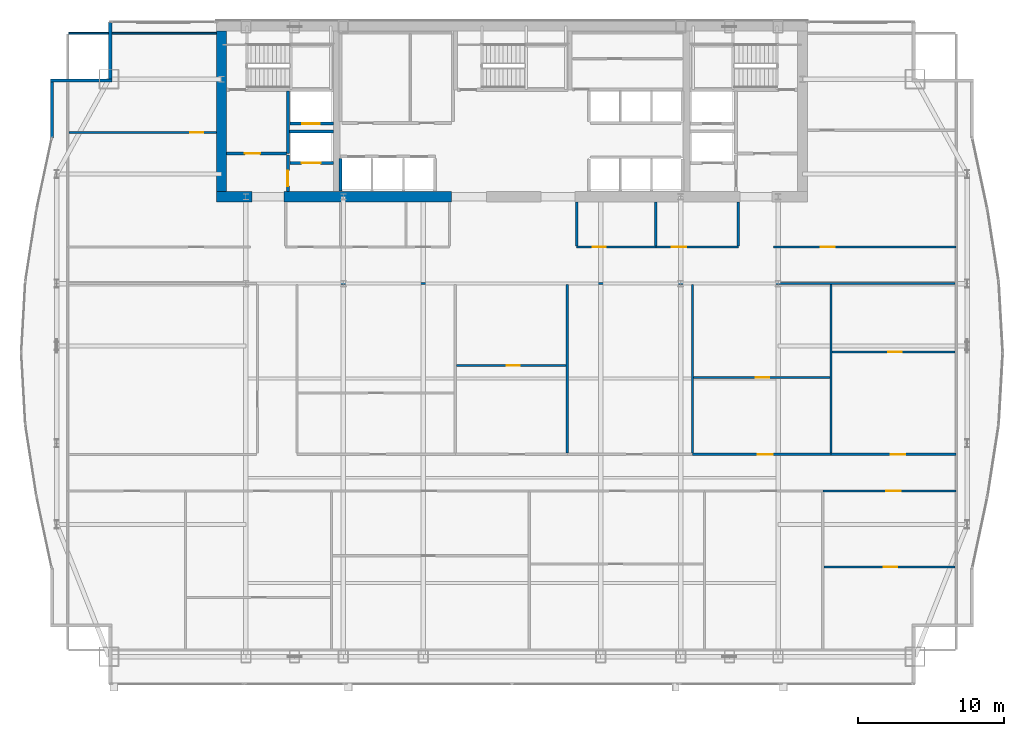
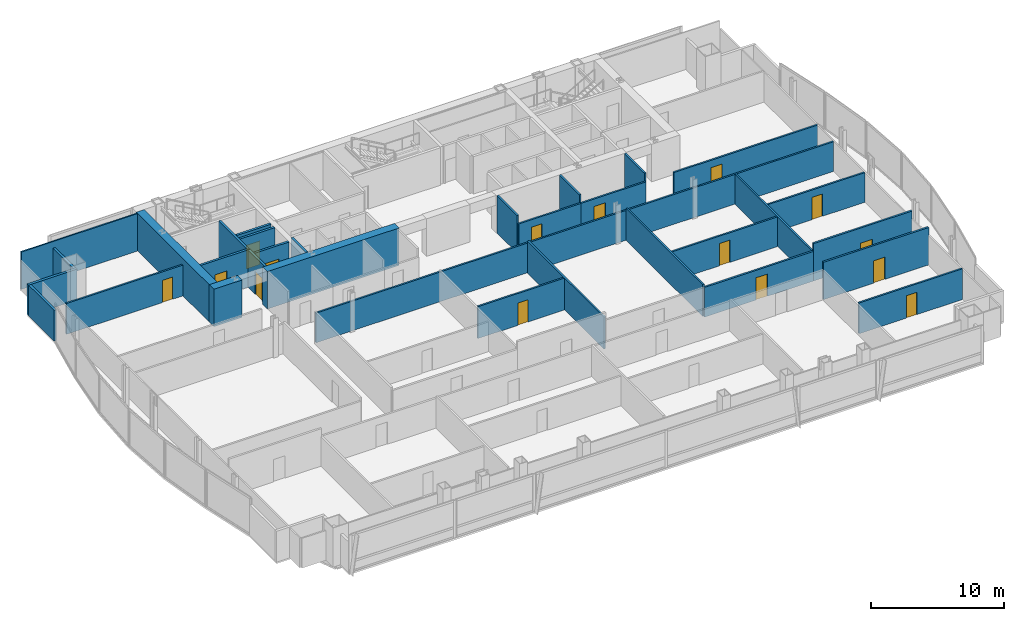
# One storey, part 25 of 29: 32 walls, 15 doors, 15 openings.
"""IFC4 building model written with IfcOpenShell, lengths in metres."""

import ifcopenshell
import ifcopenshell.guid

model = None  # the IFC model being written
_history = None  # IfcOwnerHistory: only IFC2X3 demands one
_inside = {}  # id of a spatial element -> (the spatial element, [elements in it])
_under = {}  # id of a project, library or spatial element -> (it, [spatial elements below it])
_declared = {}  # id of a project -> (the project, [libraries it declares])
_typed = {}  # id of a type object -> (the type object, [elements of that type])
_made_of = {}  # id of a material, layer set ... -> (it, [elements and type objects made of it])


def new_model(schema):
    """Start an empty IFC model of exactly this schema.

    Asked for "IFC4X3", IfcOpenShell would pick the latest addendum, in which some entities
    have other attributes; the version numbers below select the first issue.
    IFC2X3 requires an IfcOwnerHistory on every rooted entity: one is made here for all.
    """
    global model, _history
    if schema == "IFC4X3":
        model = ifcopenshell.file(schema_version=(4, 3, 0, 0))
    else:
        model = ifcopenshell.file(schema=schema)
    _inside.clear()
    _under.clear()
    _declared.clear()
    _typed.clear()
    _made_of.clear()
    _history = None
    if model.schema == "IFC2X3":
        org = make("IfcOrganization", Name="unknown")
        user = make(
            "IfcPersonAndOrganization",
            ThePerson=make("IfcPerson", FamilyName="unknown"),
            TheOrganization=org,
        )
        app = make(
            "IfcApplication",
            ApplicationDeveloper=org,
            Version="unknown",
            ApplicationFullName="unknown",
            ApplicationIdentifier="unknown",
        )
        _history = make(
            "IfcOwnerHistory",
            OwningUser=user,
            OwningApplication=app,
            ChangeAction="ADDED",
            CreationDate=0,
        )
    return model


def make(cls, **values):
    """One entity of the class cls with the attributes given. An attribute that is None is left unset."""
    return model.create_entity(
        cls, **{name: value for name, value in values.items() if value is not None}
    )


def rooted(cls, **values):
    """An entity with a GlobalId (a new one), such as an element, a storey or a relation."""
    return make(cls, GlobalId=ifcopenshell.guid.new(), OwnerHistory=_history, **values)


def si_unit(unit_type, name, prefix=None):
    """IfcSIUnit, for example si_unit("LENGTHUNIT", "METRE", prefix="MILLI")."""
    return make("IfcSIUnit", UnitType=unit_type, Prefix=prefix, Name=name)


def assignment(units):
    """IfcUnitAssignment: the units of a project."""
    return None if units is None else make("IfcUnitAssignment", Units=units)


def point(xyz):
    """IfcCartesianPoint."""
    return None if xyz is None else make("IfcCartesianPoint", Coordinates=xyz)


def direction(xyz):
    """IfcDirection."""
    return None if xyz is None else make("IfcDirection", DirectionRatios=xyz)


def frame(location, z_axis=None, x_axis=None):
    """IfcAxis2Placement3D, a coordinate frame: its origin and axes. An axis left out is left unset."""
    return make(
        "IfcAxis2Placement3D",
        Location=point(location),
        Axis=direction(z_axis),
        RefDirection=direction(x_axis),
    )


def frame_2d(location, x_axis=None):
    """IfcAxis2Placement2D, a coordinate frame in the plane: its origin and x axis."""
    return make(
        "IfcAxis2Placement2D", Location=point(location), RefDirection=direction(x_axis)
    )


def origin():
    """The frame at (0, 0, 0) with its axes left unset."""
    return frame((0.0, 0.0, 0.0))


def place(relative_to, where):
    """IfcLocalPlacement: puts the frame where relative to a parent placement (None: the world)."""
    return make(
        "IfcLocalPlacement", PlacementRelTo=relative_to, RelativePlacement=where
    )


def context(
    kind, dimensions, precision=None, world=None, true_north=None, identifier=None
):
    """IfcGeometricRepresentationContext, for example the 3D "Model" context."""
    return make(
        "IfcGeometricRepresentationContext",
        ContextIdentifier=identifier,
        ContextType=kind,
        CoordinateSpaceDimension=dimensions,
        Precision=precision,
        WorldCoordinateSystem=world,
        TrueNorth=true_north,
    )


def subcontext(parent, identifier, kind, view, scale=None):
    """IfcGeometricRepresentationSubContext, for example "Body" below "Model"."""
    return make(
        "IfcGeometricRepresentationSubContext",
        ContextIdentifier=identifier,
        ContextType=kind,
        ParentContext=parent,
        TargetScale=scale,
        TargetView=view,
    )


def project(units=None, contexts=None):
    """IfcProject with its units and contexts."""
    return rooted(
        "IfcProject",
        Name="project",
        RepresentationContexts=contexts,
        UnitsInContext=assignment(units),
    )


def spatial(cls, under=None, at=None, **own):
    """A site, building, storey or space (cls), placed at a placement, below another one or the project."""
    s = rooted(cls, ObjectPlacement=at, **own)
    if under is not None:
        _under.setdefault(under.id(), (under, []))[1].append(s)
    return s


def profile(cls, at=None, kind="AREA", **sizes):
    """A parametric profile (cls). Its sizes go by their IFC names, for example OverallWidth=200.0."""
    return make(cls, ProfileType=kind, Position=at, **sizes)


def rectangle(**sizes):
    """IfcRectangleProfileDef."""
    return profile("IfcRectangleProfileDef", **sizes)


def extrude(swept, where, along, depth):
    """IfcExtrudedAreaSolid: the profile swept, set in the frame where, extruded along a direction by depth."""
    return make(
        "IfcExtrudedAreaSolid",
        SweptArea=swept,
        Position=where,
        ExtrudedDirection=direction(along),
        Depth=depth,
    )


def shape(context_of_items, identifier, shape_type, items):
    """IfcShapeRepresentation: the items that make up one representation, for example the "Body"."""
    return make(
        "IfcShapeRepresentation",
        ContextOfItems=context_of_items,
        RepresentationIdentifier=identifier,
        RepresentationType=shape_type,
        Items=items,
    )


def material(Name=None, Category=None):
    """IfcMaterial."""
    return make("IfcMaterial", Name=Name, Category=Category)


def layer(
    of_material, thickness, ventilated=None, Name=None, Category=None, Priority=None
):
    """IfcMaterialLayer: one layer of a wall or slab, of a material (None: an air gap)."""
    return make(
        "IfcMaterialLayer",
        Material=of_material,
        LayerThickness=thickness,
        IsVentilated=ventilated,
        Name=Name,
        Category=Category,
        Priority=Priority,
    )


def layer_set(layers, Name=None):
    """IfcMaterialLayerSet."""
    return make("IfcMaterialLayerSet", MaterialLayers=layers, LayerSetName=Name)


def made_of(thing, what):
    """Note that an element or type object is made of a material, layer set ...; save() writes the relation."""
    if what is not None:
        _made_of.setdefault(what.id(), (what, []))[1].append(thing)
    return thing


def type_object(cls, material=None, **own):
    """A type object (cls), such as IfcWallType, which elements share."""
    return made_of(rooted(cls, **own), material)


def element(
    cls,
    number,
    at=None,
    inside=None,
    cuts=None,
    type_object=None,
    material=None,
    context=None,
    identifier="Body",
    shape_type=None,
    held_by="IfcProductDefinitionShape",
    body=None,
    shapes=None,
    **own,
):
    """One element of the class cls, such as IfcWall. Its Tag is "e" and its number.

    at: its placement. inside: the storey or other place that contains it. cuts: it is an
    opening in that element (IfcRelVoidsElement). A single representation is given by context,
    identifier, shape_type and body (its items); several are given by shapes. held_by: the class
    of the entity that holds the representations. save() writes the other relations.
    """
    e = rooted(cls, Tag="e%d" % number, ObjectPlacement=at, **own)
    if body is not None:
        shapes = [shape(context, identifier, shape_type, body)]
    if shapes is not None:
        e.Representation = make(held_by, Representations=shapes)
    if inside is not None:
        _inside.setdefault(inside.id(), (inside, []))[1].append(e)
    if cuts is not None:
        rooted(
            "IfcRelVoidsElement", RelatingBuildingElement=cuts, RelatedOpeningElement=e
        )
    if type_object is not None:
        _typed.setdefault(type_object.id(), (type_object, []))[1].append(e)
    return made_of(e, material)


def fill(opening, filler):
    """IfcRelFillsElement: the door or window that sits in an opening."""
    return rooted(
        "IfcRelFillsElement",
        RelatingOpeningElement=opening,
        RelatedBuildingElement=filler,
    )


def aggregate(whole, parts):
    """IfcRelAggregates: a whole, such as a stair, and the parts it consists of."""
    return rooted("IfcRelAggregates", RelatingObject=whole, RelatedObjects=parts)


def save(model, path):
    """Write the relations noted so far, then the file.

    IfcRelAggregates (storeys below a building ...), IfcRelContainedInSpatialStructure (elements
    in a storey), IfcRelDefinesByType, IfcRelAssociatesMaterial and IfcRelDeclares: one each for
    every whole, place, type object, material and project.
    """
    for whole, parts in _under.values():
        aggregate(whole, parts)
    for where, things in _inside.values():
        rooted(
            "IfcRelContainedInSpatialStructure",
            RelatedElements=things,
            RelatingStructure=where,
        )
    for kind, things in _typed.values():
        rooted("IfcRelDefinesByType", RelatedObjects=things, RelatingType=kind)
    for what, things in _made_of.values():
        rooted("IfcRelAssociatesMaterial", RelatedObjects=things, RelatingMaterial=what)
    for by, libraries in _declared.values():
        rooted("IfcRelDeclares", RelatingContext=by, RelatedDefinitions=libraries)
    model.write(path)


model = new_model("IFC4")

# Units and contexts
model_context = context("Model", 3, precision=1e-05, world=origin(), true_north=direction((0.0, 1.0)))
body_context = subcontext(model_context, "Body", "Model", "MODEL_VIEW")
ifc_project = project(units=[si_unit("LENGTHUNIT", "METRE"), si_unit("AREAUNIT", "SQUARE_METRE"), si_unit("VOLUMEUNIT", "CUBIC_METRE"), si_unit("PLANEANGLEUNIT", "RADIAN"), si_unit("MASSUNIT", "GRAM", prefix="KILO")], contexts=[model_context])

# Site, building, storey
site_placement = place(None, origin())
site = spatial("IfcSite", under=ifc_project, at=site_placement, CompositionType="ELEMENT")
building_placement = place(site_placement, origin())
building = spatial("IfcBuilding", under=site, at=building_placement, Name="Khoronbel Lancet Exchange", CompositionType="ELEMENT")
storey_placement = place(building_placement, frame((0.0, 0.0, 165.0)))
storey = spatial("IfcBuildingStorey", under=building, at=storey_placement, Name="L41", CompositionType="ELEMENT", Elevation=165.0)

# Walls
ifc_material_1 = material(Name="Concrete C80/95", Category="concrete")
ifc_layer_1 = layer(ifc_material_1, 0.699951171875, Name="Concrete C80/95")
ifc_layer_set_1 = layer_set([ifc_layer_1], Name="Concrete C80/95")
wall_type_1 = type_object("IfcWallType", Name="WL-CW2", PredefinedType="SHEAR", material=ifc_layer_set_1)
wall_1_placement = place(storey_placement, frame((16.550048828125, 42.0, 0.0), z_axis=(0.0, 0.0, 1.0), x_axis=(0.0, 1.0, 0.0)))
element("IfcWall", 1, at=wall_1_placement, inside=storey, type_object=wall_type_1, Name="Level L41 rear core west shear wall", PredefinedType="SHEAR", context=body_context, shape_type="SweptSolid", body=[
    extrude(rectangle(XDim=11.0, YDim=0.699951171875, at=frame_2d((5.5, 0.0))), origin(), (0.0, 0.0, 1.0), 3.43994140625),
])
wall_2_placement = place(storey_placement, frame((18.64990234375, 41.64990234375, 0.0), z_axis=(0.0, 0.0, 1.0), x_axis=(-1.0, 0.0, 0.0)))
element("IfcWall", 2, at=wall_2_placement, inside=storey, type_object=wall_type_1, Name="Level L41 rear core south shear wall pier P1", PredefinedType="SHEAR", context=body_context, shape_type="SweptSolid", body=[
    extrude(rectangle(XDim=2.449951171875, YDim=0.699951171875, at=frame_2d((1.22509765625, 0.0))), origin(), (0.0, 0.0, 1.0), 3.43994140625),
])
wall_3_placement = place(storey_placement, frame((32.300048828125, 41.64990234375, 0.0), z_axis=(0.0, 0.0, 1.0), x_axis=(-1.0, 0.0, 0.0)))
element("IfcWall", 3, at=wall_3_placement, inside=storey, type_object=wall_type_1, Name="Level L41 rear core south shear wall pier P2", PredefinedType="SHEAR", context=body_context, shape_type="SweptSolid", body=[
    extrude(rectangle(XDim=11.449951171875, YDim=0.699951171875, at=frame_2d((5.72509765625, 0.0))), origin(), (0.0, 0.0, 1.0), 3.43994140625),
])
ifc_material_2 = material(Name="Precast concrete C40/50", Category="concrete")
ifc_layer_2 = layer(ifc_material_2, 0.25, Name="Precast concrete C40/50")
ifc_layer_set_2 = layer_set([ifc_layer_2], Name="Precast concrete C40/50")
wall_type_2 = type_object("IfcWallType", Name="WL-EXT250", PredefinedType="SOLIDWALL", material=ifc_layer_set_2)
wall_4_placement = place(storey_placement, frame((4.93994140625, 45.67041015625, 0.0), z_axis=(0.0, 0.0, 1.0), x_axis=(0.0, 1.0, 0.0)))
element("IfcWall", 4, at=wall_4_placement, inside=storey, type_object=wall_type_2, Name="Level L41 notched-corner limestone pier 10", PredefinedType="SOLIDWALL", context=body_context, shape_type="SweptSolid", body=[
    extrude(rectangle(XDim=3.82958984375, YDim=0.219970703125, at=frame_2d((1.914794921875, 0.0))), origin(), (0.0, 0.0, 1.0), 2.830078125),
])
wall_5_placement = place(storey_placement, frame((4.830078125, 49.610107421875, 0.0), z_axis=(0.0, 0.0, 1.0), x_axis=(1.0, 0.0, 0.0)))
element("IfcWall", 5, at=wall_5_placement, inside=storey, type_object=wall_type_2, Name="Level L41 notched-corner limestone pier 11", PredefinedType="SOLIDWALL", context=body_context, shape_type="SweptSolid", body=[
    extrude(rectangle(XDim=4.219970703125, YDim=0.219970703125, at=frame_2d((2.10986328125, 0.0))), origin(), (0.0, 0.0, 1.0), 2.830078125),
])
wall_6_placement = place(storey_placement, frame((8.93994140625, 49.719970703125, 0.0), z_axis=(0.0, 0.0, 1.0), x_axis=(0.0, 1.0, 0.0)))
element("IfcWall", 6, at=wall_6_placement, inside=storey, type_object=wall_type_2, Name="Level L41 notched-corner limestone pier 12", PredefinedType="SOLIDWALL", context=body_context, shape_type="SweptSolid", body=[
    extrude(rectangle(XDim=3.909912109375, YDim=0.219970703125, at=frame_2d((1.955078125, 0.0))), origin(), (0.0, 0.0, 1.0), 2.830078125),
])
ifc_material_3 = material(Name="Acoustic Metal-Stud & Mineral-Wool Gypsum Partition 120 mm", Category="gypsum")
ifc_layer_3 = layer(ifc_material_3, 0.1201171875, Name="Acoustic Metal-Stud & Mineral-Wool Gypsum Partition 120 mm")
ifc_layer_set_3 = layer_set([ifc_layer_3], Name="Acoustic Metal-Stud & Mineral-Wool Gypsum Partition 120 mm")
wall_type_3 = type_object("IfcWallType", Name="WL-PRT120", PredefinedType="PARTITIONING", material=ifc_layer_set_3)
for number, where, z_axis, x_axis, name in (
    (7, (40.8798828125, 38.280029296875, 0.0), (0.0, 0.0, 1.0), (0.0, 1.0, 0.0), "Level L41 interior partition PW-NP-0"),
    (8, (46.300048828125, 38.280029296875, 0.0), (0.0, 0.0, 1.0), (0.0, 1.0, 0.0), "Level L41 interior partition PW-NP-M"),
    (9, (51.949951171875, 38.280029296875, 0.0), (0.0, 0.0, 1.0), (0.0, 1.0, 0.0), "Level L41 interior partition PW-NP-1"),
):
    element("IfcWall", number, at=place(storey_placement, frame(where, z_axis=z_axis, x_axis=x_axis)), inside=storey, type_object=wall_type_3, Name=name, PredefinedType="PARTITIONING", context=body_context, shape_type="SweptSolid", body=[
        extrude(rectangle(XDim=3.02001953125, YDim=0.14990234375, at=frame_2d((1.510009765625, 0.0))), origin(), (0.0, 0.0, 1.0), 3.43994140625),
    ])

# Wall, opening, door
wall_7_placement = place(storey_placement, frame((6.094970703125, 46.050048828125, 0.0), z_axis=(0.0, 0.0, 1.0), x_axis=(1.0, 0.0, 0.0)))
wall_7 = element("IfcWall", 10, at=wall_7_placement, inside=storey, type_object=wall_type_3, Name="Level L41 interior partition PW-NW-H", PredefinedType="PARTITIONING", context=body_context, shape_type="SweptSolid", body=[
    extrude(rectangle(XDim=10.10498046875, YDim=0.14990234375, at=frame_2d((5.052490234375, 0.0))), origin(), (0.0, 0.0, 1.0), 2.830078125),
])
opening_1_placement = place(wall_7_placement, frame((8.320068359375, 0.0, 0.0)))
opening_1 = element("IfcOpeningElement", 11, at=opening_1_placement, cuts=wall_7, Name="Opening D5", PredefinedType="OPENING", context=body_context, shape_type="SweptSolid", body=[
    extrude(rectangle(XDim=0.89990234375, YDim=2.050048828125, at=frame_2d((0.449951171875, 1.02490234375))), frame((0.0, 0.0849609375, 0.0), z_axis=(0.0, -1.0, 0.0), x_axis=(1.0, 0.0, 0.0)), (0.0, 0.0, 1.0), 0.169921875),
])
ifc_material_4 = material(Name="Acoustic Timber Pantry & Support Door", Category="wood")
door_type_1 = type_object("IfcDoorType", Name="DR-D5", OperationType="NOTDEFINED", PredefinedType="DOOR", material=ifc_material_4)
door_1_placement = place(opening_1_placement, origin())
door_1 = element("IfcDoor", 12, at=door_1_placement, inside=storey, type_object=door_type_1, Name="NW north room door L41-1", OperationType="SINGLE_SWING_RIGHT", OverallHeight=2.050048828125, OverallWidth=0.89990234375, PredefinedType="DOOR", context=body_context, shape_type="SweptSolid", body=[
    extrude(rectangle(XDim=0.89990234375, YDim=2.050048828125, at=frame_2d((0.449951171875, 1.02490234375))), frame((0.0, 0.02490234375, 0.0), z_axis=(0.0, -1.0, 0.0), x_axis=(1.0, 0.0, 0.0)), (0.0, 0.0, 1.0), 0.050048828125),
])
fill(opening_1, door_1)

wall_8_placement = place(storey_placement, frame((57.81201171875, 16.287841796875, 0.0), z_axis=(0.0, 0.0, 1.0), x_axis=(1.0, 0.0, 0.0)))
wall_8 = element("IfcWall", 13, at=wall_8_placement, inside=storey, type_object=wall_type_3, Name="Level L41 interior partition PW-Z2S-H6", PredefinedType="PARTITIONING", context=body_context, shape_type="SweptSolid", body=[
    extrude(rectangle(XDim=8.992919921875, YDim=0.14990234375, at=frame_2d((4.49658203125, 0.0))), origin(), (0.0, 0.0, 1.0), 2.830078125),
])
opening_2_placement = place(wall_8_placement, frame((4.112060546875, 0.0, 0.0)))
opening_2 = element("IfcOpeningElement", 14, at=opening_2_placement, cuts=wall_8, Name="Opening D5", PredefinedType="OPENING", context=body_context, shape_type="SweptSolid", body=[
    extrude(rectangle(XDim=0.89990234375, YDim=2.050048828125, at=frame_2d((0.449951171875, 1.02490234375))), frame((0.0, 0.0849609375, 0.0), z_axis=(0.0, -1.0, 0.0), x_axis=(1.0, 0.0, 0.0)), (0.0, 0.0, 1.0), 0.169921875),
])
door_2_placement = place(opening_2_placement, origin())
door_2 = element("IfcDoor", 15, at=door_2_placement, inside=storey, type_object=door_type_1, Name="Z2S inner door 6 L41-1", OperationType="SINGLE_SWING_LEFT", OverallHeight=2.050048828125, OverallWidth=0.89990234375, PredefinedType="DOOR", context=body_context, shape_type="SweptSolid", body=[
    extrude(rectangle(XDim=0.89990234375, YDim=2.050048828125, at=frame_2d((0.449951171875, 1.02490234375))), frame((0.0, 0.02490234375, 0.0), z_axis=(0.0, -1.0, 0.0), x_axis=(1.0, 0.0, 0.0)), (0.0, 0.0, 1.0), 0.050048828125),
])
fill(opening_2, door_2)

wall_9_placement = place(storey_placement, frame((32.6435546875, 30.083984375, 0.0), z_axis=(0.0, 0.0, 1.0), x_axis=(1.0, 0.0, 0.0)))
wall_9 = element("IfcWall", 16, at=wall_9_placement, inside=storey, type_object=wall_type_3, Name="Level L41 interior partition PW-Z2N-H2", PredefinedType="PARTITIONING", context=body_context, shape_type="SweptSolid", body=[
    extrude(rectangle(XDim=7.513916015625, YDim=0.14990234375, at=frame_2d((3.7568359375, 0.0))), origin(), (0.0, 0.0, 1.0), 2.929931640625),
])
opening_3_placement = place(wall_9_placement, frame((3.453125, 0.0, 0.0)))
opening_3 = element("IfcOpeningElement", 17, at=opening_3_placement, cuts=wall_9, Name="Opening D5", PredefinedType="OPENING", context=body_context, shape_type="SweptSolid", body=[
    extrude(rectangle(XDim=0.89990234375, YDim=2.050048828125, at=frame_2d((0.449951171875, 1.02490234375))), frame((0.0, 0.0849609375, 0.0), z_axis=(0.0, -1.0, 0.0), x_axis=(1.0, 0.0, 0.0)), (0.0, 0.0, 1.0), 0.169921875),
])
door_3_placement = place(opening_3_placement, origin())
door_3 = element("IfcDoor", 18, at=door_3_placement, inside=storey, type_object=door_type_1, Name="Z2N inner door 2 L41-1", OperationType="SINGLE_SWING_RIGHT", OverallHeight=2.050048828125, OverallWidth=0.89990234375, PredefinedType="DOOR", context=body_context, shape_type="SweptSolid", body=[
    extrude(rectangle(XDim=0.89990234375, YDim=2.050048828125, at=frame_2d((0.449951171875, 1.02490234375))), frame((0.0, 0.02490234375, 0.0), z_axis=(0.0, -1.0, 0.0), x_axis=(1.0, 0.0, 0.0)), (0.0, 0.0, 1.0), 0.050048828125),
])
fill(opening_3, door_3)

wall_10_placement = place(storey_placement, frame((48.89404296875, 29.264892578125, 0.0), z_axis=(0.0, 0.0, 1.0), x_axis=(1.0, 0.0, 0.0)))
wall_10 = element("IfcWall", 19, at=wall_10_placement, inside=storey, type_object=wall_type_3, Name="Level L41 interior partition PW-Z2N-H4", PredefinedType="PARTITIONING", context=body_context, shape_type="SweptSolid", body=[
    extrude(rectangle(XDim=9.3193359375, YDim=0.14990234375, at=frame_2d((4.65966796875, 0.0))), origin(), (0.0, 0.0, 1.0), 2.72998046875),
])
opening_4_placement = place(wall_10_placement, frame((4.265625, 0.0, 0.0)))
opening_4 = element("IfcOpeningElement", 20, at=opening_4_placement, cuts=wall_10, Name="Opening D5", PredefinedType="OPENING", context=body_context, shape_type="SweptSolid", body=[
    extrude(rectangle(XDim=0.89990234375, YDim=2.050048828125, at=frame_2d((0.449951171875, 1.02490234375))), frame((0.0, 0.0849609375, 0.0), z_axis=(0.0, -1.0, 0.0), x_axis=(1.0, 0.0, 0.0)), (0.0, 0.0, 1.0), 0.169921875),
])
door_4_placement = place(opening_4_placement, origin())
door_4 = element("IfcDoor", 21, at=door_4_placement, inside=storey, type_object=door_type_1, Name="Z2N inner door 4 L41-1", OperationType="SINGLE_SWING_LEFT", OverallHeight=2.050048828125, OverallWidth=0.89990234375, PredefinedType="DOOR", context=body_context, shape_type="SweptSolid", body=[
    extrude(rectangle(XDim=0.89990234375, YDim=2.050048828125, at=frame_2d((0.449951171875, 1.02490234375))), frame((0.0, 0.02490234375, 0.0), z_axis=(0.0, -1.0, 0.0), x_axis=(1.0, 0.0, 0.0)), (0.0, 0.0, 1.0), 0.050048828125),
])
fill(opening_4, door_4)

wall_11_placement = place(storey_placement, frame((58.373291015625, 31.02001953125, 0.0), z_axis=(0.0, 0.0, 1.0), x_axis=(1.0, 0.0, 0.0)))
wall_11 = element("IfcWall", 22, at=wall_11_placement, inside=storey, type_object=wall_type_3, Name="Level L41 interior partition PW-Z2N-H5", PredefinedType="PARTITIONING", context=body_context, shape_type="SweptSolid", body=[
    extrude(rectangle(XDim=8.431640625, YDim=0.14990234375, at=frame_2d((4.2158203125, 0.0))), origin(), (0.0, 0.0, 1.0), 2.72998046875),
])
opening_5_placement = place(wall_11_placement, frame((3.859619140625, 0.0, 0.0)))
opening_5 = element("IfcOpeningElement", 23, at=opening_5_placement, cuts=wall_11, Name="Opening D5", PredefinedType="OPENING", context=body_context, shape_type="SweptSolid", body=[
    extrude(rectangle(XDim=0.89990234375, YDim=2.050048828125, at=frame_2d((0.449951171875, 1.02490234375))), frame((0.0, 0.0849609375, 0.0), z_axis=(0.0, -1.0, 0.0), x_axis=(1.0, 0.0, 0.0)), (0.0, 0.0, 1.0), 0.169921875),
])
door_5_placement = place(opening_5_placement, origin())
door_5 = element("IfcDoor", 24, at=door_5_placement, inside=storey, type_object=door_type_1, Name="Z2N inner door 5 L41-1", OperationType="SINGLE_SWING_LEFT", OverallHeight=2.050048828125, OverallWidth=0.89990234375, PredefinedType="DOOR", context=body_context, shape_type="SweptSolid", body=[
    extrude(rectangle(XDim=0.89990234375, YDim=2.050048828125, at=frame_2d((0.449951171875, 1.02490234375))), frame((0.0, 0.02490234375, 0.0), z_axis=(0.0, -1.0, 0.0), x_axis=(1.0, 0.0, 0.0)), (0.0, 0.0, 1.0), 0.050048828125),
])
fill(opening_5, door_5)

# Wall
wall_12_placement = place(storey_placement, frame((6.094970703125, 52.840087890625, 0.0), z_axis=(0.0, 0.0, 1.0), x_axis=(1.0, 0.0, 0.0)))
element("IfcWall", 25, at=wall_12_placement, inside=storey, type_object=wall_type_3, Name="Level L41 interior partition PW-LIN-NW", PredefinedType="PARTITIONING", context=body_context, shape_type="SweptSolid", body=[
    extrude(rectangle(XDim=10.10498046875, YDim=0.1201171875, at=frame_2d((5.052490234375, 0.0))), origin(), (0.0, 0.0, 1.0), 3.43994140625),
])

# Wall, opening, door
ifc_material_5 = material(Name="Fire-Rated Twin-Stud Acoustic Gypsum Partition 150 mm", Category="gypsum")
ifc_layer_4 = layer(ifc_material_5, 0.14990234375, Name="Fire-Rated Twin-Stud Acoustic Gypsum Partition 150 mm")
ifc_layer_set_4 = layer_set([ifc_layer_4], Name="Fire-Rated Twin-Stud Acoustic Gypsum Partition 150 mm")
wall_type_4 = type_object("IfcWallType", Name="WL-PRT150C", PredefinedType="PARTITIONING", material=ifc_layer_set_4)
wall_13_placement = place(storey_placement, frame((40.8798828125, 38.199951171875, 0.0), z_axis=(0.0, 0.0, 1.0), x_axis=(1.0, 0.0, 0.0)))
wall_13 = element("IfcWall", 26, at=wall_13_placement, inside=storey, type_object=wall_type_4, Name="Level L41 interior partition PW-NP-S1", PredefinedType="PARTITIONING", context=body_context, shape_type="SweptSolid", body=[
    extrude(rectangle(XDim=5.420166015625, YDim=0.14990234375, at=frame_2d((2.7099609375, 0.0))), origin(), (0.0, 0.0, 1.0), 2.72998046875),
])
opening_6_placement = place(wall_13_placement, frame((1.10009765625, 0.0, 0.0)))
opening_6 = element("IfcOpeningElement", 27, at=opening_6_placement, cuts=wall_13, Name="Opening D5", PredefinedType="OPENING", context=body_context, shape_type="SweptSolid", body=[
    extrude(rectangle(XDim=0.89990234375, YDim=2.050048828125, at=frame_2d((0.449951171875, 1.02490234375))), frame((0.0, 0.0849609375, 0.0), z_axis=(0.0, -1.0, 0.0), x_axis=(1.0, 0.0, 0.0)), (0.0, 0.0, 1.0), 0.169921875),
])
door_6_placement = place(opening_6_placement, origin())
door_6 = element("IfcDoor", 28, at=door_6_placement, inside=storey, type_object=door_type_1, Name="Floor refreshment pantry door L41-1", OperationType="SINGLE_SWING_RIGHT", OverallHeight=2.050048828125, OverallWidth=0.89990234375, PredefinedType="DOOR", context=body_context, shape_type="SweptSolid", body=[
    extrude(rectangle(XDim=0.89990234375, YDim=2.050048828125, at=frame_2d((0.449951171875, 1.02490234375))), frame((0.0, 0.02490234375, 0.0), z_axis=(0.0, -1.0, 0.0), x_axis=(1.0, 0.0, 0.0)), (0.0, 0.0, 1.0), 0.050048828125),
])
fill(opening_6, door_6)

wall_14_placement = place(storey_placement, frame((46.300048828125, 38.199951171875, 0.0), z_axis=(0.0, 0.0, 1.0), x_axis=(1.0, 0.0, 0.0)))
wall_14 = element("IfcWall", 29, at=wall_14_placement, inside=storey, type_object=wall_type_4, Name="Level L41 interior partition PW-NP-S2", PredefinedType="PARTITIONING", context=body_context, shape_type="SweptSolid", body=[
    extrude(rectangle(XDim=5.64990234375, YDim=0.14990234375, at=frame_2d((2.824951171875, 0.0))), origin(), (0.0, 0.0, 1.0), 2.72998046875),
])
opening_7_placement = place(wall_14_placement, frame((1.10009765625, 0.0, 0.0)))
opening_7 = element("IfcOpeningElement", 30, at=opening_7_placement, cuts=wall_14, Name="Opening D2", PredefinedType="OPENING", context=body_context, shape_type="SweptSolid", body=[
    extrude(rectangle(XDim=1.0, YDim=2.050048828125, at=frame_2d((0.5, 1.02490234375))), frame((0.0, 0.0849609375, 0.0), z_axis=(0.0, -1.0, 0.0), x_axis=(1.0, 0.0, 0.0)), (0.0, 0.0, 1.0), 0.169921875),
])
ifc_material_6 = material(Name="Acoustic Veneered Timber & Bronze Frame Door", Category="wood")
door_type_2 = type_object("IfcDoorType", Name="DR-D2", OperationType="NOTDEFINED", PredefinedType="DOOR", material=ifc_material_6)
door_7_placement = place(opening_7_placement, origin())
door_7 = element("IfcDoor", 31, at=door_7_placement, inside=storey, type_object=door_type_2, Name="Floor store door L41-1", OperationType="SINGLE_SWING_LEFT", OverallHeight=2.050048828125, OverallWidth=1.0, PredefinedType="DOOR", context=body_context, shape_type="SweptSolid", body=[
    extrude(rectangle(XDim=1.0, YDim=2.050048828125, at=frame_2d((0.5, 1.02490234375))), frame((0.0, 0.02490234375, 0.0), z_axis=(0.0, -1.0, 0.0), x_axis=(1.0, 0.0, 0.0)), (0.0, 0.0, 1.0), 0.050048828125),
])
fill(opening_7, door_7)

wall_15_placement = place(storey_placement, frame((54.35009765625, 38.199951171875, 0.0), z_axis=(0.0, 0.0, 1.0), x_axis=(1.0, 0.0, 0.0)))
wall_15 = element("IfcWall", 32, at=wall_15_placement, inside=storey, type_object=wall_type_4, Name="Level L41 interior partition PW-NE-S", PredefinedType="PARTITIONING", context=body_context, shape_type="SweptSolid", body=[
    extrude(rectangle(XDim=12.52001953125, YDim=0.14990234375, at=frame_2d((6.260009765625, 0.0))), origin(), (0.0, 0.0, 1.0), 2.72998046875),
])
opening_8_placement = place(wall_15_placement, frame((3.25, 0.0, 0.0)))
opening_8 = element("IfcOpeningElement", 33, at=opening_8_placement, cuts=wall_15, Name="Opening D1", PredefinedType="OPENING", context=body_context, shape_type="SweptSolid", body=[
    extrude(rectangle(XDim=0.949951171875, YDim=2.050048828125, at=frame_2d((0.47509765625, 1.02490234375))), frame((0.0, 0.0849609375, 0.0), z_axis=(0.0, -1.0, 0.0), x_axis=(1.0, 0.0, 0.0)), (0.0, 0.0, 1.0), 0.169921875),
])
door_type_3 = type_object("IfcDoorType", Name="DR-D1", OperationType="NOTDEFINED", PredefinedType="DOOR", material=ifc_material_6)
door_8_placement = place(opening_8_placement, origin())
door_8 = element("IfcDoor", 34, at=door_8_placement, inside=storey, type_object=door_type_3, Name="NE corner room door L41-1", OperationType="SINGLE_SWING_LEFT", OverallHeight=2.050048828125, OverallWidth=0.949951171875, PredefinedType="DOOR", context=body_context, shape_type="SweptSolid", body=[
    extrude(rectangle(XDim=0.949951171875, YDim=2.050048828125, at=frame_2d((0.47509765625, 1.02490234375))), frame((0.0, 0.02490234375, 0.0), z_axis=(0.0, -1.0, 0.0), x_axis=(1.0, 0.0, 0.0)), (0.0, 0.0, 1.0), 0.050048828125),
])
fill(opening_8, door_8)

# Walls
wall_16_placement = place(storey_placement, frame((21.81005859375, 35.699951171875, 0.0), z_axis=(0.0, 0.0, 1.0), x_axis=(1.0, 0.0, 0.0)))
element("IfcWall", 35, at=wall_16_placement, inside=storey, type_object=wall_type_4, Name="Level L41 interior partition PW-Z2-EN", PredefinedType="PARTITIONING", context=body_context, shape_type="SweptSolid", body=[
    extrude(rectangle(XDim=44.994873046875, YDim=0.14990234375, at=frame_2d((22.49755859375, 0.0))), origin(), (0.0, 0.0, 1.0), 2.72998046875),
])
for number, where, z_axis, x_axis, name in (
    (36, (40.2373046875, 24.0849609375, 0.0), (0.0, 0.0, 1.0), (0.0, 1.0, 0.0), "Level L41 interior partition PW-Z2N-V2"),
    (37, (48.81396484375, 24.0849609375, 0.0), (0.0, 0.0, 1.0), (0.0, 1.0, 0.0), "Level L41 interior partition PW-Z2N-V3"),
):
    element("IfcWall", number, at=place(storey_placement, frame(where, z_axis=z_axis, x_axis=x_axis)), inside=storey, type_object=wall_type_4, Name=name, PredefinedType="PARTITIONING", context=body_context, shape_type="SweptSolid", body=[
        extrude(rectangle(XDim=11.53515625, YDim=0.14990234375, at=frame_2d((5.767578125, 0.0))), origin(), (0.0, 0.0, 1.0), 2.929931640625),
    ])
wall_17_placement = place(storey_placement, frame((58.29345703125, 24.0849609375, 0.0), z_axis=(0.0, 0.0, 1.0), x_axis=(0.0, 1.0, 0.0)))
element("IfcWall", 38, at=wall_17_placement, inside=storey, type_object=wall_type_4, Name="Level L41 interior partition PW-Z2N-V4", PredefinedType="PARTITIONING", context=body_context, shape_type="SweptSolid", body=[
    extrude(rectangle(XDim=11.53515625, YDim=0.14990234375, at=frame_2d((5.767578125, 0.0))), origin(), (0.0, 0.0, 1.0), 2.72998046875),
])

# Wall, opening, door
ifc_material_7 = material(Name="Fire-Rated Twin-Stud Acoustic Gypsum Partition 160 mm", Category="gypsum")
ifc_layer_5 = layer(ifc_material_7, 0.159912109375, Name="Fire-Rated Twin-Stud Acoustic Gypsum Partition 160 mm")
ifc_layer_set_5 = layer_set([ifc_layer_5], Name="Fire-Rated Twin-Stud Acoustic Gypsum Partition 160 mm")
wall_type_5 = type_object("IfcWallType", Name="WL-PRT160C", PredefinedType="PARTITIONING", material=ifc_layer_set_5)
wall_18_placement = place(storey_placement, frame((57.732177734375, 21.5, 0.0), z_axis=(0.0, 0.0, 1.0), x_axis=(1.0, 0.0, 0.0)))
wall_18 = element("IfcWall", 39, at=wall_18_placement, inside=storey, type_object=wall_type_5, Name="Level L41 interior partition PW-Z2S-COR6", PredefinedType="PARTITIONING", context=body_context, shape_type="SweptSolid", body=[
    extrude(rectangle(XDim=9.137939453125, YDim=0.159912109375, at=frame_2d((4.56884765625, 0.0))), origin(), (0.0, 0.0, 1.0), 3.43994140625),
])
opening_9_placement = place(wall_18_placement, frame((4.337890625, 0.0, 0.0)))
opening_9 = element("IfcOpeningElement", 40, at=opening_9_placement, cuts=wall_18, Name="Opening D2", PredefinedType="OPENING", context=body_context, shape_type="SweptSolid", body=[
    extrude(rectangle(XDim=1.0, YDim=2.050048828125, at=frame_2d((0.5, 1.02490234375))), frame((0.0, 0.08984375, 0.0), z_axis=(0.0, -1.0, 0.0), x_axis=(1.0, 0.0, 0.0)), (0.0, 0.0, 1.0), 0.179931640625),
])
door_9_placement = place(opening_9_placement, origin())
door_9 = element("IfcDoor", 41, at=door_9_placement, inside=storey, type_object=door_type_2, Name="Z2S bay 6 door L41-1", OperationType="SINGLE_SWING_RIGHT", OverallHeight=2.050048828125, OverallWidth=1.0, PredefinedType="DOOR", context=body_context, shape_type="SweptSolid", body=[
    extrude(rectangle(XDim=1.0, YDim=2.050048828125, at=frame_2d((0.5, 1.02490234375))), frame((0.0, 0.02490234375, 0.0), z_axis=(0.0, -1.0, 0.0), x_axis=(1.0, 0.0, 0.0)), (0.0, 0.0, 1.0), 0.050048828125),
])
fill(opening_9, door_9)

wall_19_placement = place(storey_placement, frame((48.81396484375, 24.0, 0.0), z_axis=(0.0, 0.0, 1.0), x_axis=(1.0, 0.0, 0.0)))
wall_19 = element("IfcWall", 42, at=wall_19_placement, inside=storey, type_object=wall_type_5, Name="Level L41 interior partition PW-Z2N-COR4", PredefinedType="PARTITIONING", context=body_context, shape_type="SweptSolid", body=[
    extrude(rectangle(XDim=9.4794921875, YDim=0.159912109375, at=frame_2d((4.73974609375, 0.0))), origin(), (0.0, 0.0, 1.0), 2.72998046875),
])
opening_10_placement = place(wall_19_placement, frame((4.481201171875, 0.0, 0.0)))
opening_10 = element("IfcOpeningElement", 43, at=opening_10_placement, cuts=wall_19, Name="Opening D2", PredefinedType="OPENING", context=body_context, shape_type="SweptSolid", body=[
    extrude(rectangle(XDim=1.0, YDim=2.050048828125, at=frame_2d((0.5, 1.02490234375))), frame((0.0, 0.08984375, 0.0), z_axis=(0.0, -1.0, 0.0), x_axis=(1.0, 0.0, 0.0)), (0.0, 0.0, 1.0), 0.179931640625),
])
door_10_placement = place(opening_10_placement, origin())
door_10 = element("IfcDoor", 44, at=door_10_placement, inside=storey, type_object=door_type_2, Name="Z2N bay 4 door L41-1", OperationType="SINGLE_SWING_RIGHT", OverallHeight=2.050048828125, OverallWidth=1.0, PredefinedType="DOOR", context=body_context, shape_type="SweptSolid", body=[
    extrude(rectangle(XDim=1.0, YDim=2.050048828125, at=frame_2d((0.5, 1.02490234375))), frame((0.0, 0.02490234375, 0.0), z_axis=(0.0, -1.0, 0.0), x_axis=(1.0, 0.0, 0.0)), (0.0, 0.0, 1.0), 0.050048828125),
])
fill(opening_10, door_10)

wall_20_placement = place(storey_placement, frame((58.29345703125, 24.0, 0.0), z_axis=(0.0, 0.0, 1.0), x_axis=(1.0, 0.0, 0.0)))
wall_20 = element("IfcWall", 45, at=wall_20_placement, inside=storey, type_object=wall_type_5, Name="Level L41 interior partition PW-Z2N-COR5", PredefinedType="PARTITIONING", context=body_context, shape_type="SweptSolid", body=[
    extrude(rectangle(XDim=8.57666015625, YDim=0.159912109375, at=frame_2d((4.288330078125, 0.0))), origin(), (0.0, 0.0, 1.0), 3.43994140625),
])
opening_11_placement = place(wall_20_placement, frame((4.102294921875, 0.0, 0.0)))
opening_11 = element("IfcOpeningElement", 46, at=opening_11_placement, cuts=wall_20, Name="Opening D2", PredefinedType="OPENING", context=body_context, shape_type="SweptSolid", body=[
    extrude(rectangle(XDim=1.0, YDim=2.050048828125, at=frame_2d((0.5, 1.02490234375))), frame((0.0, 0.08984375, 0.0), z_axis=(0.0, -1.0, 0.0), x_axis=(1.0, 0.0, 0.0)), (0.0, 0.0, 1.0), 0.179931640625),
])
door_11_placement = place(opening_11_placement, origin())
door_11 = element("IfcDoor", 47, at=door_11_placement, inside=storey, type_object=door_type_2, Name="Z2N bay 5 door L41-1", OperationType="SINGLE_SWING_RIGHT", OverallHeight=2.050048828125, OverallWidth=1.0, PredefinedType="DOOR", context=body_context, shape_type="SweptSolid", body=[
    extrude(rectangle(XDim=1.0, YDim=2.050048828125, at=frame_2d((0.5, 1.02490234375))), frame((0.0, 0.02490234375, 0.0), z_axis=(0.0, -1.0, 0.0), x_axis=(1.0, 0.0, 0.0)), (0.0, 0.0, 1.0), 0.050048828125),
])
fill(opening_11, door_11)

ifc_material_8 = material(Name="Autoclaved Aerated Concrete Blockwork 200 mm", Category="masonry")
ifc_layer_6 = layer(ifc_material_8, 0.199951171875, Name="Autoclaved Aerated Concrete Blockwork 200 mm")
ifc_layer_set_6 = layer_set([ifc_layer_6], Name="Autoclaved Aerated Concrete Blockwork 200 mm")
wall_type_6 = type_object("IfcWallType", Name="WL-PRT200", PredefinedType="PARTITIONING", material=ifc_layer_set_6)
wall_21_placement = place(storey_placement, frame((24.2099609375, 43.949951171875, 0.0), z_axis=(0.0, 0.0, 1.0), x_axis=(-1.0, 0.0, 0.0)))
wall_21 = element("IfcWall", 48, at=wall_21_placement, inside=storey, type_object=wall_type_6, Name="Level L41 elevator hoistway landing front wall SVLW", PredefinedType="PARTITIONING", context=body_context, shape_type="SweptSolid", body=[
    extrude(rectangle(XDim=2.969970703125, YDim=0.199951171875, at=frame_2d((1.48486328125, 0.0))), origin(), (0.0, 0.0, 1.0), 3.43994140625),
])
opening_12_placement = place(wall_21_placement, frame((0.860107421875, 0.0, 0.0)))
opening_12 = element("IfcOpeningElement", 49, at=opening_12_placement, cuts=wall_21, Name="Opening LD-SVL1", PredefinedType="OPENING", context=body_context, shape_type="SweptSolid", body=[
    extrude(rectangle(XDim=1.300048828125, YDim=2.179931640625, at=frame_2d((0.64990234375, 1.08984375))), frame((0.0, 0.10986328125, 0.0), z_axis=(0.0, -1.0, 0.0), x_axis=(1.0, 0.0, 0.0)), (0.0, 0.0, 1.0), 0.219970703125),
])
ifc_material_9 = material(Name="Heavy-Duty Bi-Parting Goods Lift Landing Door", Category="steel")
door_type_4 = type_object("IfcDoorType", Name="DR-LD-SVL", OperationType="NOTDEFINED", PredefinedType="DOOR", material=ifc_material_9)
door_12_placement = place(opening_12_placement, origin())
door_12 = element("IfcDoor", 50, at=door_12_placement, inside=storey, type_object=door_type_4, Name="Elevator landing sliding door LD-SVL1 L41", OperationType="SLIDING_TO_LEFT", OverallHeight=2.179931640625, OverallWidth=1.300048828125, PredefinedType="DOOR", context=body_context, shape_type="SweptSolid", body=[
    extrude(rectangle(XDim=1.300048828125, YDim=2.179931640625, at=frame_2d((0.64990234375, 1.08984375))), frame((0.0, 0.02490234375, 0.0), z_axis=(0.0, -1.0, 0.0), x_axis=(1.0, 0.0, 0.0)), (0.0, 0.0, 1.0), 0.050048828125),
])
fill(opening_12, door_12)

wall_22_placement = place(storey_placement, frame((24.2099609375, 46.64990234375, 0.0), z_axis=(0.0, 0.0, 1.0), x_axis=(-1.0, 0.0, 0.0)))
wall_22 = element("IfcWall", 51, at=wall_22_placement, inside=storey, type_object=wall_type_6, Name="Level L41 elevator hoistway landing front wall FFLW", PredefinedType="PARTITIONING", context=body_context, shape_type="SweptSolid", body=[
    extrude(rectangle(XDim=2.969970703125, YDim=0.199951171875, at=frame_2d((1.48486328125, 0.0))), origin(), (0.0, 0.0, 1.0), 3.43994140625),
])
opening_13_placement = place(wall_22_placement, frame((0.909912109375, 0.0, 0.0)))
opening_13 = element("IfcOpeningElement", 52, at=opening_13_placement, cuts=wall_22, Name="Opening LD-FFL1", PredefinedType="OPENING", context=body_context, shape_type="SweptSolid", body=[
    extrude(rectangle(XDim=1.199951171875, YDim=2.179931640625, at=frame_2d((0.60009765625, 1.08984375))), frame((0.0, 0.10986328125, 0.0), z_axis=(0.0, -1.0, 0.0), x_axis=(1.0, 0.0, 0.0)), (0.0, 0.0, 1.0), 0.219970703125),
])
ifc_material_10 = material(Name="Fire-Rated Stainless Bi-Parting Firefighting Lift Door", Category="steel")
door_type_5 = type_object("IfcDoorType", Name="DR-LD-FFL", OperationType="NOTDEFINED", PredefinedType="DOOR", material=ifc_material_10)
door_13_placement = place(opening_13_placement, origin())
door_13 = element("IfcDoor", 53, at=door_13_placement, inside=storey, type_object=door_type_5, Name="Elevator landing sliding door LD-FFL1 L41", OperationType="SLIDING_TO_LEFT", OverallHeight=2.179931640625, OverallWidth=1.199951171875, PredefinedType="DOOR", context=body_context, shape_type="SweptSolid", body=[
    extrude(rectangle(XDim=1.199951171875, YDim=2.179931640625, at=frame_2d((0.60009765625, 1.08984375))), frame((0.0, 0.02490234375, 0.0), z_axis=(0.0, -1.0, 0.0), x_axis=(1.0, 0.0, 0.0)), (0.0, 0.0, 1.0), 0.050048828125),
])
fill(opening_13, door_13)

# Wall
wall_23_placement = place(storey_placement, frame((21.10009765625, 44.60009765625, 0.0), z_axis=(0.0, 0.0, 1.0), x_axis=(0.0, 1.0, 0.0)))
element("IfcWall", 54, at=wall_23_placement, inside=storey, type_object=wall_type_6, Name="Level L41 interior partition CW-FFLW-E", PredefinedType="PARTITIONING", context=body_context, shape_type="SweptSolid", body=[
    extrude(rectangle(XDim=4.2998046875, YDim=0.199951171875, at=frame_2d((2.14990234375, 0.0))), origin(), (0.0, 0.0, 1.0), 3.43994140625),
])

# Wall, opening, door
wall_24_placement = place(storey_placement, frame((16.89990234375, 44.60009765625, 0.0), z_axis=(0.0, 0.0, 1.0), x_axis=(1.0, 0.0, 0.0)))
wall_24 = element("IfcWall", 55, at=wall_24_placement, inside=storey, type_object=wall_type_6, Name="Level L41 interior partition CW-FFLW-S", PredefinedType="PARTITIONING", context=body_context, shape_type="SweptSolid", body=[
    extrude(rectangle(XDim=4.10009765625, YDim=0.199951171875, at=frame_2d((2.050048828125, 0.0))), origin(), (0.0, 0.0, 1.0), 3.43994140625),
])
opening_14_placement = place(wall_24_placement, frame((1.25, 0.0, 0.0)))
opening_14 = element("IfcOpeningElement", 56, at=opening_14_placement, cuts=wall_24, Name="Opening FD1", PredefinedType="OPENING", context=body_context, shape_type="SweptSolid", body=[
    extrude(rectangle(XDim=1.050048828125, YDim=2.14990234375, at=frame_2d((0.52490234375, 1.074951171875))), frame((0.0, 0.10986328125, 0.0), z_axis=(0.0, -1.0, 0.0), x_axis=(1.0, 0.0, 0.0)), (0.0, 0.0, 1.0), 0.219970703125),
])
ifc_material_11 = material(Name="Fire-Rated Painted Steel Door Assembly", Category="steel")
door_type_6 = type_object("IfcDoorType", Name="DR-FD1", OperationType="NOTDEFINED", PredefinedType="DOOR", material=ifc_material_11)
door_14_placement = place(opening_14_placement, origin())
door_14 = element("IfcDoor", 57, at=door_14_placement, inside=storey, type_object=door_type_6, Name="West firefighting lobby FD90S door L41-1", OperationType="SINGLE_SWING_LEFT", OverallHeight=2.14990234375, OverallWidth=1.050048828125, PredefinedType="DOOR", context=body_context, shape_type="SweptSolid", body=[
    extrude(rectangle(XDim=1.050048828125, YDim=2.14990234375, at=frame_2d((0.52490234375, 1.074951171875))), frame((0.0, 0.02490234375, 0.0), z_axis=(0.0, -1.0, 0.0), x_axis=(1.0, 0.0, 0.0)), (0.0, 0.0, 1.0), 0.050048828125),
])
fill(opening_14, door_14)

# Wall
wall_25_placement = place(storey_placement, frame((21.199951171875, 46.1201171875, 0.0), z_axis=(0.0, 0.0, 1.0), x_axis=(1.0, 0.0, 0.0)))
element("IfcWall", 58, at=wall_25_placement, inside=storey, type_object=wall_type_6, Name="Level L41 interior partition CW-FFL1-S", PredefinedType="PARTITIONING", context=body_context, shape_type="SweptSolid", body=[
    extrude(rectangle(XDim=3.02001953125, YDim=0.199951171875, at=frame_2d((1.510009765625, 0.0))), origin(), (0.0, 0.0, 1.0), 3.43994140625),
])

# Wall, opening, door
wall_26_placement = place(storey_placement, frame((21.10009765625, 42.0, 0.0), z_axis=(0.0, 0.0, 1.0), x_axis=(0.0, 1.0, 0.0)))
wall_26 = element("IfcWall", 59, at=wall_26_placement, inside=storey, type_object=wall_type_6, Name="Level L41 interior partition CW-SVLW-W", PredefinedType="PARTITIONING", context=body_context, shape_type="SweptSolid", body=[
    extrude(rectangle(XDim=2.4951171875, YDim=0.199951171875, at=frame_2d((1.24755859375, 0.0))), origin(), (0.0, 0.0, 1.0), 3.43994140625),
])
opening_15_placement = place(wall_26_placement, frame((0.3798828125, 0.0, 0.0)))
opening_15 = element("IfcOpeningElement", 60, at=opening_15_placement, cuts=wall_26, Name="Opening FD1", PredefinedType="OPENING", context=body_context, shape_type="SweptSolid", body=[
    extrude(rectangle(XDim=1.050048828125, YDim=2.14990234375, at=frame_2d((0.52490234375, 1.074951171875))), frame((0.0, 0.10986328125, 0.0), z_axis=(0.0, -1.0, 0.0), x_axis=(1.0, 0.0, 0.0)), (0.0, 0.0, 1.0), 0.219970703125),
])
door_15_placement = place(opening_15_placement, origin())
door_15 = element("IfcDoor", 61, at=door_15_placement, inside=storey, type_object=door_type_6, Name="West service lift lobby door L41-1", OperationType="SINGLE_SWING_RIGHT", OverallHeight=2.14990234375, OverallWidth=1.050048828125, PredefinedType="DOOR", context=body_context, shape_type="SweptSolid", body=[
    extrude(rectangle(XDim=1.050048828125, YDim=2.14990234375, at=frame_2d((0.52490234375, 1.074951171875))), frame((0.0, 0.02490234375, 0.0), z_axis=(0.0, -1.0, 0.0), x_axis=(1.0, 0.0, 0.0)), (0.0, 0.0, 1.0), 0.050048828125),
])
fill(opening_15, door_15)

# Wall
wall_27_placement = place(storey_placement, frame((24.699951171875, 42.050048828125, 0.0), z_axis=(0.0, 0.0, 1.0), x_axis=(0.0, 1.0, 0.0)))
element("IfcWall", 62, at=wall_27_placement, inside=storey, type_object=wall_type_6, Name="Level L41 interior partition CW-PM-W", PredefinedType="PARTITIONING", context=body_context, shape_type="SweptSolid", body=[
    extrude(rectangle(XDim=2.199951171875, YDim=0.199951171875, at=frame_2d((1.10009765625, 0.0))), origin(), (0.0, 0.0, 1.0), 3.43994140625),
])

save(model, "model.ifc")
